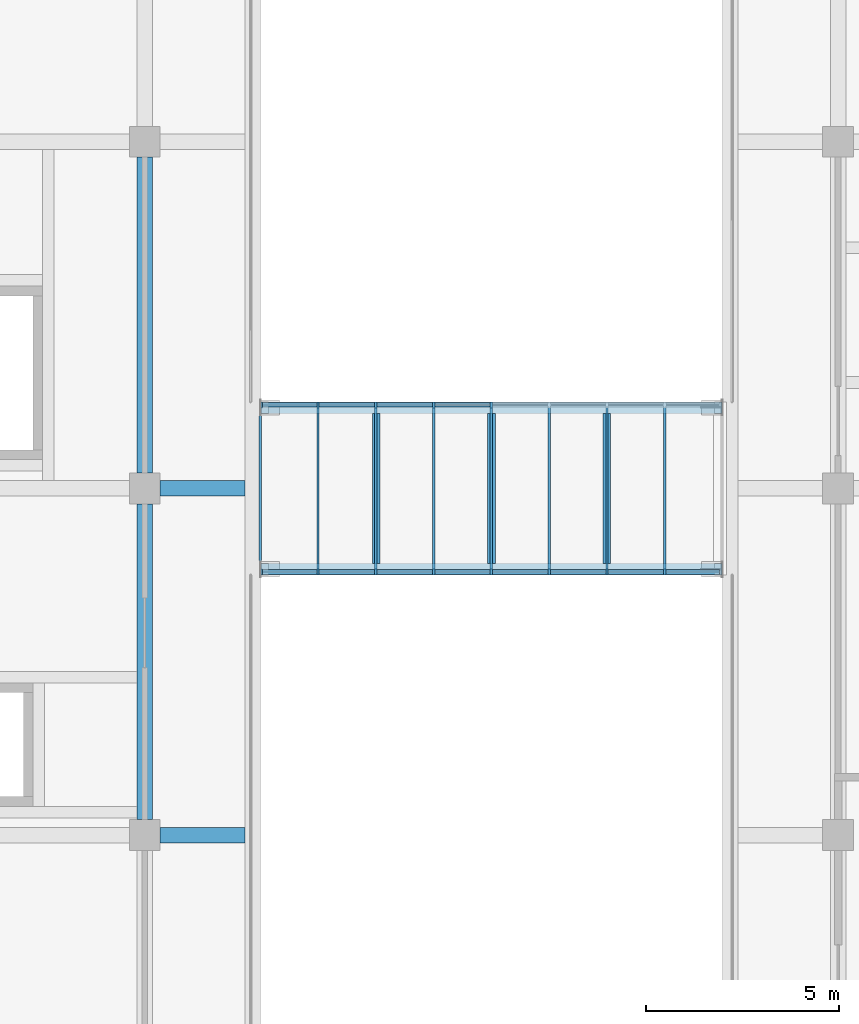
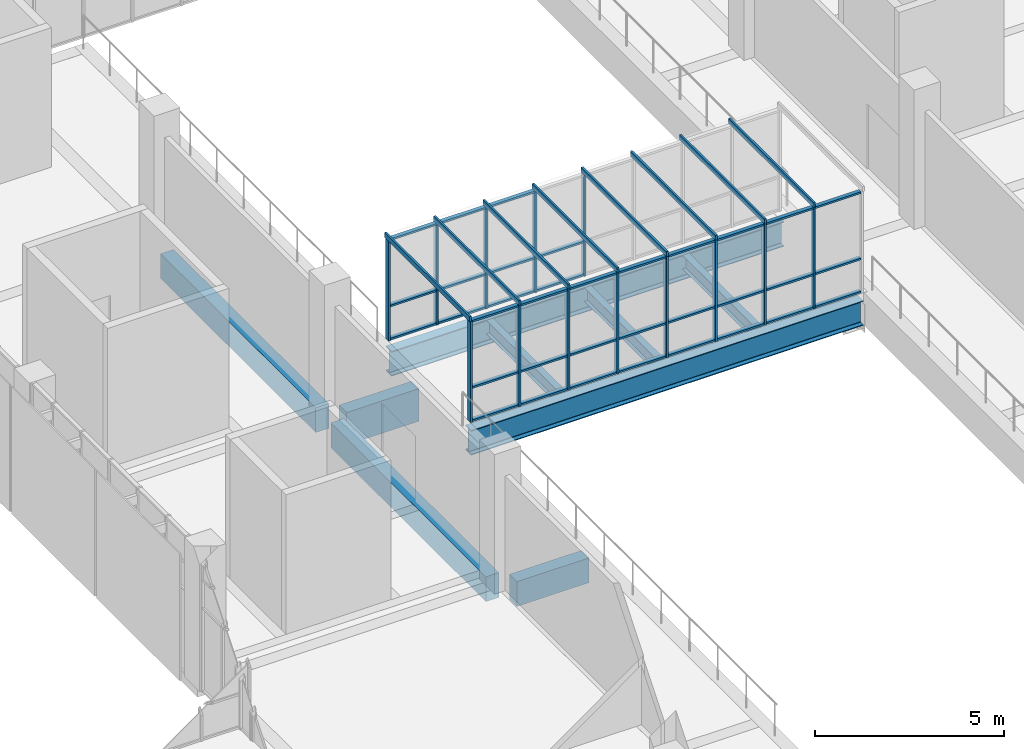
# One storey, part 20 of 88: 56 members, 9 beams, 3 elements without a shape of their own.
"""IFC4 building model written with IfcOpenShell, lengths in metres."""

from ifc_helpers import new_model, si_unit, direction, frame, origin, origin_2d, place, context, subcontext, project, spatial, rectangle, i_section, extrude, material, layer, layer_set, material_profile, profile_set, type_object, element, aggregate, save


model = new_model("IFC4")

# Units and contexts
model_context = context("Model", 3, precision=1e-05, world=origin(), true_north=direction((0.0, 1.0)))
body_context = subcontext(model_context, "Body", "Model", "MODEL_VIEW")
ifc_project = project(units=[si_unit("LENGTHUNIT", "METRE"), si_unit("AREAUNIT", "SQUARE_METRE"), si_unit("VOLUMEUNIT", "CUBIC_METRE"), si_unit("PLANEANGLEUNIT", "RADIAN"), si_unit("MASSUNIT", "GRAM", prefix="KILO")], contexts=[model_context])

# Site, building, storey
site_placement = place(None, origin())
site = spatial("IfcSite", under=ifc_project, at=site_placement, CompositionType="ELEMENT")
building_placement = place(site_placement, origin())
building = spatial("IfcBuilding", under=site, at=building_placement, Name="Guidao Yard Department Store", CompositionType="ELEMENT")
storey_placement = place(building_placement, frame((0.0, 0.0, 6.0)))
storey = spatial("IfcBuildingStorey", under=building, at=storey_placement, Name="L01", CompositionType="ELEMENT", Elevation=6.0)

# Beams
ifc_material_1 = material(Name="Concrete C40", Category="concrete")
ifc_material_profile_1 = material_profile(ifc_material_1, rectangle(XDim=0.39990234375, YDim=1.050048828125, at=origin_2d()), Name="Bridge landing beam 400 x 1050 C40")
ifc_profile_set_1 = profile_set([ifc_material_profile_1], Name="Concrete C40")
beam_type_1 = type_object("IfcBeamType", Name="Bridge landing beam 400 x 1050 C40", PredefinedType="BEAM", material=ifc_profile_set_1)
beam_1_placement = place(storey_placement, frame((81.39990234375, 90.0, -0.52490234375), z_axis=(1.0, 0.0, 0.0), x_axis=(0.0, 1.0, 0.0)))
element("IfcBeam", 1, at=beam_1_placement, inside=storey, type_object=beam_type_1, Name="Beam LB06", PredefinedType="BEAM", context=body_context, shape_type="SweptSolid", body=[
    extrude(rectangle(XDim=0.39990234375, YDim=1.050048828125, at=origin_2d()), origin(), (0.0, 0.0, 1.0), 2.2001953125),
])
ifc_material_2 = material(Name="Concrete C40", Category="concrete")
ifc_material_profile_2 = material_profile(ifc_material_2, rectangle(XDim=0.39990234375, YDim=0.800048828125, at=origin_2d()), Name="Edge beam 400 x 800 C40")
ifc_profile_set_2 = profile_set([ifc_material_profile_2], Name="Concrete C40")
beam_type_2 = type_object("IfcBeamType", Name="Edge beam 400 x 800 C40", PredefinedType="BEAM", material=ifc_profile_set_2)
for number, where, z_axis, x_axis, name in (
    (2, (81.0, 81.39990234375, -0.39990234375), (0.0, 1.0, 0.0), (-1.0, 0.0, 0.0), "Beam EB36"),
    (3, (81.0, 90.39990234375, -0.39990234375), (0.0, 1.0, 0.0), (-1.0, 0.0, 0.0), "Beam EB37"),
):
    element("IfcBeam", number, at=place(storey_placement, frame(where, z_axis=z_axis, x_axis=x_axis)), inside=storey, type_object=beam_type_2, Name=name, PredefinedType="BEAM", context=body_context, shape_type="SweptSolid", body=[
        extrude(rectangle(XDim=0.39990234375, YDim=0.800048828125, at=origin_2d()), origin(), (0.0, 0.0, 1.0), 8.2001953125),
    ])
beam_2_placement = place(storey_placement, frame((81.39990234375, 81.0, -0.39990234375), z_axis=(1.0, 0.0, 0.0), x_axis=(0.0, 1.0, 0.0)))
element("IfcBeam", 4, at=beam_2_placement, inside=storey, type_object=beam_type_2, Name="Beam EB42", PredefinedType="BEAM", context=body_context, shape_type="SweptSolid", body=[
    extrude(rectangle(XDim=0.39990234375, YDim=0.800048828125, at=origin_2d()), origin(), (0.0, 0.0, 1.0), 2.2001953125),
])
ifc_material_3 = material(Name="Steel Q355B", Category="steel")
ifc_material_profile_3 = material_profile(ifc_material_3, i_section(OverallWidth=0.199951171875, OverallDepth=0.449951171875, WebThickness=0.009033203125, FlangeThickness=0.013916015625, FilletRadius=0.012939453125, at=origin_2d()), Name="HN 450x200x9x14")
ifc_profile_set_3 = profile_set([ifc_material_profile_3], Name="Steel Q355B")
beam_type_3 = type_object("IfcBeamType", Name="HN 450x200x9x14", PredefinedType="BEAM", material=ifc_profile_set_3)
for number, where, z_axis, x_axis, name in (
    (5, (87.007568359375, 88.050048828125, -0.47509765625), (0.0, 1.0, 0.0), (-1.0, 0.0, 0.0), "Bridge cross beam BR10-1"),
    (6, (90.0, 88.050048828125, -0.47509765625), (0.0, 1.0, 0.0), (-1.0, 0.0, 0.0), "Bridge cross beam BR10-2"),
    (7, (92.992431640625, 88.050048828125, -0.47509765625), (0.0, 1.0, 0.0), (-1.0, 0.0, 0.0), "Bridge cross beam BR10-3"),
):
    element("IfcBeam", number, at=place(storey_placement, frame(where, z_axis=z_axis, x_axis=x_axis)), inside=storey, type_object=beam_type_3, Name=name, PredefinedType="BEAM", context=body_context, shape_type="SweptSolid", body=[
        extrude(i_section(OverallWidth=0.199951171875, OverallDepth=0.449951171875, WebThickness=0.009033203125, FlangeThickness=0.013916015625, FilletRadius=0.012939453125, at=origin_2d()), origin(), (0.0, 0.0, 1.0), 3.89990234375),
    ])
ifc_material_4 = material(Name="Steel Q355B", Category="steel")
ifc_material_profile_4 = material_profile(ifc_material_4, i_section(OverallWidth=0.300048828125, OverallDepth=0.800048828125, WebThickness=0.013916015625, FlangeThickness=0.02587890625, FilletRadius=0.01806640625, at=origin_2d()), Name="HN 800x300x14x26")
ifc_profile_set_4 = profile_set([ifc_material_profile_4], Name="Steel Q355B")
beam_type_4 = type_object("IfcBeamType", Name="HN 800x300x14x26", PredefinedType="BEAM", material=ifc_profile_set_4)
for number, where, z_axis, x_axis, name in (
    (8, (84.014892578125, 87.89990234375, -0.64990234375), (1.0, 0.0, 0.0), (0.0, 1.0, 0.0), "Bridge girder BR10S"),
    (9, (84.014892578125, 92.10009765625, -0.64990234375), (1.0, 0.0, 0.0), (0.0, 1.0, 0.0), "Bridge girder BR10N"),
):
    element("IfcBeam", number, at=place(storey_placement, frame(where, z_axis=z_axis, x_axis=x_axis)), inside=storey, type_object=beam_type_4, Name=name, PredefinedType="BEAM", context=body_context, shape_type="SweptSolid", body=[
        extrude(i_section(OverallWidth=0.300048828125, OverallDepth=0.800048828125, WebThickness=0.013916015625, FlangeThickness=0.02587890625, FilletRadius=0.01806640625, at=origin_2d()), origin(), (0.0, 0.0, 1.0), 11.97021484375),
    ])

# Curtain wall, members
ifc_material_5 = material(Name="Aluminium and glass", Category="aluminium")
ifc_layer = layer(ifc_material_5, 0.159912109375)
ifc_layer_set = layer_set([ifc_layer], Name="Bridge glazing CW5 1500 module")
curtain_wall_type = type_object("IfcCurtainWallType", Name="Bridge glazing CW5 1500 module", PredefinedType="NOTDEFINED", material=ifc_layer_set)
curtain_wall_1_placement = place(storey_placement, origin())
curtain_wall_1 = element("IfcCurtainWall", 10, at=curtain_wall_1_placement, inside=storey, type_object=curtain_wall_type, Name="Bridge glazing BR10 S", PredefinedType="NOTDEFINED")
ifc_material_6 = material(Name="Aluminium 6063-T5", Category="aluminium")
ifc_material_profile_5 = material_profile(ifc_material_6, rectangle(XDim=0.06005859375, YDim=0.159912109375, at=origin_2d()), Name="Mullion M1 60 x 160 aluminium pressure plate")
ifc_profile_set_5 = profile_set([ifc_material_profile_5], Name="Aluminium 6063-T5")
member_type_1 = type_object("IfcMemberType", Name="Mullion M1 60 x 160 aluminium pressure plate", PredefinedType="MULLION", material=ifc_profile_set_5)
member_1_placement = place(storey_placement, frame((84.030029296875, 87.830078125, 0.0), z_axis=(0.0, 0.0, 1.0), x_axis=(-1.0, 0.0, 0.0)))
member_1 = element("IfcMember", 11, at=member_1_placement, type_object=member_type_1, Name="CW-S-L01-11 mullion 1", PredefinedType="MULLION", context=body_context, shape_type="SweptSolid", body=[
    extrude(rectangle(XDim=0.06005859375, YDim=0.159912109375, at=origin_2d()), origin(), (0.0, 0.0, 1.0), 3.27001953125),
])
member_2_placement = place(storey_placement, frame((85.5, 87.830078125, 0.0), z_axis=(0.0, 0.0, 1.0), x_axis=(-1.0, 0.0, 0.0)))
member_2 = element("IfcMember", 12, at=member_2_placement, type_object=member_type_1, Name="CW-S-L01-11 mullion 2", PredefinedType="MULLION", context=body_context, shape_type="SweptSolid", body=[
    extrude(rectangle(XDim=0.06005859375, YDim=0.159912109375, at=origin_2d()), origin(), (0.0, 0.0, 1.0), 3.27001953125),
])
member_3_placement = place(storey_placement, frame((87.0, 87.830078125, 0.0), z_axis=(0.0, 0.0, 1.0), x_axis=(-1.0, 0.0, 0.0)))
member_3 = element("IfcMember", 13, at=member_3_placement, type_object=member_type_1, Name="CW-S-L01-11 mullion 3", PredefinedType="MULLION", context=body_context, shape_type="SweptSolid", body=[
    extrude(rectangle(XDim=0.06005859375, YDim=0.159912109375, at=origin_2d()), origin(), (0.0, 0.0, 1.0), 3.27001953125),
])
member_4_placement = place(storey_placement, frame((88.5, 87.830078125, 0.0), z_axis=(0.0, 0.0, 1.0), x_axis=(-1.0, 0.0, 0.0)))
member_4 = element("IfcMember", 14, at=member_4_placement, type_object=member_type_1, Name="CW-S-L01-11 mullion 4", PredefinedType="MULLION", context=body_context, shape_type="SweptSolid", body=[
    extrude(rectangle(XDim=0.06005859375, YDim=0.159912109375, at=origin_2d()), origin(), (0.0, 0.0, 1.0), 3.27001953125),
])
member_5_placement = place(storey_placement, frame((90.0, 87.830078125, 0.0), z_axis=(0.0, 0.0, 1.0), x_axis=(-1.0, 0.0, 0.0)))
member_5 = element("IfcMember", 15, at=member_5_placement, type_object=member_type_1, Name="CW-S-L01-11 mullion 5", PredefinedType="MULLION", context=body_context, shape_type="SweptSolid", body=[
    extrude(rectangle(XDim=0.06005859375, YDim=0.159912109375, at=origin_2d()), origin(), (0.0, 0.0, 1.0), 3.27001953125),
])
member_6_placement = place(storey_placement, frame((91.5, 87.830078125, 0.0), z_axis=(0.0, 0.0, 1.0), x_axis=(-1.0, 0.0, 0.0)))
member_6 = element("IfcMember", 16, at=member_6_placement, type_object=member_type_1, Name="CW-S-L01-11 mullion 6", PredefinedType="MULLION", context=body_context, shape_type="SweptSolid", body=[
    extrude(rectangle(XDim=0.06005859375, YDim=0.159912109375, at=origin_2d()), origin(), (0.0, 0.0, 1.0), 3.27001953125),
])
member_7_placement = place(storey_placement, frame((93.0, 87.830078125, 0.0), z_axis=(0.0, 0.0, 1.0), x_axis=(-1.0, 0.0, 0.0)))
member_7 = element("IfcMember", 17, at=member_7_placement, type_object=member_type_1, Name="CW-S-L01-11 mullion 7", PredefinedType="MULLION", context=body_context, shape_type="SweptSolid", body=[
    extrude(rectangle(XDim=0.06005859375, YDim=0.159912109375, at=origin_2d()), origin(), (0.0, 0.0, 1.0), 3.27001953125),
])
member_8_placement = place(storey_placement, frame((94.5, 87.830078125, 0.0), z_axis=(0.0, 0.0, 1.0), x_axis=(-1.0, 0.0, 0.0)))
member_8 = element("IfcMember", 18, at=member_8_placement, type_object=member_type_1, Name="CW-S-L01-11 mullion 8", PredefinedType="MULLION", context=body_context, shape_type="SweptSolid", body=[
    extrude(rectangle(XDim=0.06005859375, YDim=0.159912109375, at=origin_2d()), origin(), (0.0, 0.0, 1.0), 3.27001953125),
])

curtain_wall_2_placement = place(storey_placement, origin())
curtain_wall_2 = element("IfcCurtainWall", 19, at=curtain_wall_2_placement, inside=storey, type_object=curtain_wall_type, Name="Bridge glazing BR10 N", PredefinedType="NOTDEFINED")
member_9_placement = place(storey_placement, frame((84.030029296875, 92.169921875, 0.0), z_axis=(0.0, 0.0, 1.0), x_axis=(1.0, 0.0, 0.0)))
member_9 = element("IfcMember", 20, at=member_9_placement, type_object=member_type_1, Name="CW-N-L01-12 mullion 1", PredefinedType="MULLION", context=body_context, shape_type="SweptSolid", body=[
    extrude(rectangle(XDim=0.06005859375, YDim=0.159912109375, at=origin_2d()), origin(), (0.0, 0.0, 1.0), 3.27001953125),
])
member_10_placement = place(storey_placement, frame((85.5, 92.169921875, 0.0), z_axis=(0.0, 0.0, 1.0), x_axis=(1.0, 0.0, 0.0)))
member_10 = element("IfcMember", 21, at=member_10_placement, type_object=member_type_1, Name="CW-N-L01-12 mullion 2", PredefinedType="MULLION", context=body_context, shape_type="SweptSolid", body=[
    extrude(rectangle(XDim=0.06005859375, YDim=0.159912109375, at=origin_2d()), origin(), (0.0, 0.0, 1.0), 3.27001953125),
])
member_11_placement = place(storey_placement, frame((87.0, 92.169921875, 0.0), z_axis=(0.0, 0.0, 1.0), x_axis=(1.0, 0.0, 0.0)))
member_11 = element("IfcMember", 22, at=member_11_placement, type_object=member_type_1, Name="CW-N-L01-12 mullion 3", PredefinedType="MULLION", context=body_context, shape_type="SweptSolid", body=[
    extrude(rectangle(XDim=0.06005859375, YDim=0.159912109375, at=origin_2d()), origin(), (0.0, 0.0, 1.0), 3.27001953125),
])
member_12_placement = place(storey_placement, frame((88.5, 92.169921875, 0.0), z_axis=(0.0, 0.0, 1.0), x_axis=(1.0, 0.0, 0.0)))
member_12 = element("IfcMember", 23, at=member_12_placement, type_object=member_type_1, Name="CW-N-L01-12 mullion 4", PredefinedType="MULLION", context=body_context, shape_type="SweptSolid", body=[
    extrude(rectangle(XDim=0.06005859375, YDim=0.159912109375, at=origin_2d()), origin(), (0.0, 0.0, 1.0), 3.27001953125),
])
member_13_placement = place(storey_placement, frame((90.0, 92.169921875, 0.0), z_axis=(0.0, 0.0, 1.0), x_axis=(1.0, 0.0, 0.0)))
member_13 = element("IfcMember", 24, at=member_13_placement, type_object=member_type_1, Name="CW-N-L01-12 mullion 5", PredefinedType="MULLION", context=body_context, shape_type="SweptSolid", body=[
    extrude(rectangle(XDim=0.06005859375, YDim=0.159912109375, at=origin_2d()), origin(), (0.0, 0.0, 1.0), 3.27001953125),
])

curtain_wall_3_placement = place(storey_placement, origin())
curtain_wall_3 = element("IfcCurtainWall", 25, at=curtain_wall_3_placement, inside=storey, type_object=curtain_wall_type, Name="Bridge roof glazing BR10", PredefinedType="NOTDEFINED")
ifc_material_7 = material(Name="Aluminium 6063-T5", Category="aluminium")
ifc_material_profile_6 = material_profile(ifc_material_7, rectangle(XDim=0.06005859375, YDim=0.159912109375, at=origin_2d()), Name="Roof bar RB1 60 x 160 aluminium")
ifc_profile_set_6 = profile_set([ifc_material_profile_6], Name="Aluminium 6063-T5")
member_type_2 = type_object("IfcMemberType", Name="Roof bar RB1 60 x 160 aluminium", PredefinedType="USERDEFINED", material=ifc_profile_set_6)
member_14_placement = place(storey_placement, frame((84.0, 87.75, 3.35009765625), z_axis=(0.0, 1.0, 0.0), x_axis=(-1.0, 0.0, 0.0)))
member_14 = element("IfcMember", 26, at=member_14_placement, type_object=member_type_2, Name="Bridge roof bar BR10", ObjectType="TRANSOM", PredefinedType="USERDEFINED", context=body_context, shape_type="SweptSolid", body=[
    extrude(rectangle(XDim=0.06005859375, YDim=0.159912109375, at=origin_2d()), origin(), (0.0, 0.0, 1.0), 4.5),
])
member_15_placement = place(storey_placement, frame((85.5, 87.75, 3.35009765625), z_axis=(0.0, 1.0, 0.0), x_axis=(-1.0, 0.0, 0.0)))
member_15 = element("IfcMember", 27, at=member_15_placement, type_object=member_type_2, Name="Bridge roof bar BR10", ObjectType="TRANSOM", PredefinedType="USERDEFINED", context=body_context, shape_type="SweptSolid", body=[
    extrude(rectangle(XDim=0.06005859375, YDim=0.159912109375, at=origin_2d()), origin(), (0.0, 0.0, 1.0), 4.5),
])
member_16_placement = place(storey_placement, frame((87.0, 87.75, 3.35009765625), z_axis=(0.0, 1.0, 0.0), x_axis=(-1.0, 0.0, 0.0)))
member_16 = element("IfcMember", 28, at=member_16_placement, type_object=member_type_2, Name="Bridge roof bar BR10", ObjectType="TRANSOM", PredefinedType="USERDEFINED", context=body_context, shape_type="SweptSolid", body=[
    extrude(rectangle(XDim=0.06005859375, YDim=0.159912109375, at=origin_2d()), origin(), (0.0, 0.0, 1.0), 4.5),
])
member_17_placement = place(storey_placement, frame((88.5, 87.75, 3.35009765625), z_axis=(0.0, 1.0, 0.0), x_axis=(-1.0, 0.0, 0.0)))
member_17 = element("IfcMember", 29, at=member_17_placement, type_object=member_type_2, Name="Bridge roof bar BR10", ObjectType="TRANSOM", PredefinedType="USERDEFINED", context=body_context, shape_type="SweptSolid", body=[
    extrude(rectangle(XDim=0.06005859375, YDim=0.159912109375, at=origin_2d()), origin(), (0.0, 0.0, 1.0), 4.5),
])
member_18_placement = place(storey_placement, frame((90.0, 87.75, 3.35009765625), z_axis=(0.0, 1.0, 0.0), x_axis=(-1.0, 0.0, 0.0)))
member_18 = element("IfcMember", 30, at=member_18_placement, type_object=member_type_2, Name="Bridge roof bar BR10", ObjectType="TRANSOM", PredefinedType="USERDEFINED", context=body_context, shape_type="SweptSolid", body=[
    extrude(rectangle(XDim=0.06005859375, YDim=0.159912109375, at=origin_2d()), origin(), (0.0, 0.0, 1.0), 4.5),
])
member_19_placement = place(storey_placement, frame((91.5, 87.75, 3.35009765625), z_axis=(0.0, 1.0, 0.0), x_axis=(-1.0, 0.0, 0.0)))
member_19 = element("IfcMember", 31, at=member_19_placement, type_object=member_type_2, Name="Bridge roof bar BR10", ObjectType="TRANSOM", PredefinedType="USERDEFINED", context=body_context, shape_type="SweptSolid", body=[
    extrude(rectangle(XDim=0.06005859375, YDim=0.159912109375, at=origin_2d()), origin(), (0.0, 0.0, 1.0), 4.5),
])
member_20_placement = place(storey_placement, frame((93.0, 87.75, 3.35009765625), z_axis=(0.0, 1.0, 0.0), x_axis=(-1.0, 0.0, 0.0)))
member_20 = element("IfcMember", 32, at=member_20_placement, type_object=member_type_2, Name="Bridge roof bar BR10", ObjectType="TRANSOM", PredefinedType="USERDEFINED", context=body_context, shape_type="SweptSolid", body=[
    extrude(rectangle(XDim=0.06005859375, YDim=0.159912109375, at=origin_2d()), origin(), (0.0, 0.0, 1.0), 4.5),
])
member_21_placement = place(storey_placement, frame((94.5, 87.75, 3.35009765625), z_axis=(0.0, 1.0, 0.0), x_axis=(-1.0, 0.0, 0.0)))
member_21 = element("IfcMember", 33, at=member_21_placement, type_object=member_type_2, Name="Bridge roof bar BR10", ObjectType="TRANSOM", PredefinedType="USERDEFINED", context=body_context, shape_type="SweptSolid", body=[
    extrude(rectangle(XDim=0.06005859375, YDim=0.159912109375, at=origin_2d()), origin(), (0.0, 0.0, 1.0), 4.5),
])
aggregate(curtain_wall_3, [member_14, member_15, member_16, member_17, member_18, member_19, member_20, member_21])

# Member
ifc_material_8 = material(Name="Aluminium 6063-T5", Category="aluminium")
ifc_material_profile_7 = material_profile(ifc_material_8, rectangle(XDim=0.1201171875, YDim=0.06005859375, at=origin_2d()), Name="Transom T1 60 x 120 aluminium pressure plate")
ifc_profile_set_7 = profile_set([ifc_material_profile_7], Name="Aluminium 6063-T5")
member_type_3 = type_object("IfcMemberType", Name="Transom T1 60 x 120 aluminium pressure plate", PredefinedType="USERDEFINED", material=ifc_profile_set_7)
member_22_placement = place(storey_placement, frame((85.469970703125, 87.830078125, 0.030029296875), z_axis=(-1.0, 0.0, 0.0), x_axis=(0.0, -1.0, 0.0)))
member_22 = element("IfcMember", 34, at=member_22_placement, type_object=member_type_3, Name="CW-S-L01-11 transom 1.1", ObjectType="TRANSOM", PredefinedType="USERDEFINED", context=body_context, shape_type="SweptSolid", body=[
    extrude(rectangle(XDim=0.1201171875, YDim=0.06005859375, at=origin_2d()), origin(), (0.0, 0.0, 1.0), 1.409912109375),
])

member_23_placement = place(storey_placement, frame((85.469970703125, 87.830078125, 1.10009765625), z_axis=(-1.0, 0.0, 0.0), x_axis=(0.0, -1.0, 0.0)))
member_23 = element("IfcMember", 35, at=member_23_placement, type_object=member_type_3, Name="CW-S-L01-11 transom 1.2", ObjectType="TRANSOM", PredefinedType="USERDEFINED", context=body_context, shape_type="SweptSolid", body=[
    extrude(rectangle(XDim=0.1201171875, YDim=0.06005859375, at=origin_2d()), origin(), (0.0, 0.0, 1.0), 1.409912109375),
])

member_24_placement = place(storey_placement, frame((85.469970703125, 87.830078125, 3.239990234375), z_axis=(-1.0, 0.0, 0.0), x_axis=(0.0, -1.0, 0.0)))
member_24 = element("IfcMember", 36, at=member_24_placement, type_object=member_type_3, Name="CW-S-L01-11 transom 1.3", ObjectType="TRANSOM", PredefinedType="USERDEFINED", context=body_context, shape_type="SweptSolid", body=[
    extrude(rectangle(XDim=0.1201171875, YDim=0.06005859375, at=origin_2d()), origin(), (0.0, 0.0, 1.0), 1.409912109375),
])

member_25_placement = place(storey_placement, frame((86.969970703125, 87.830078125, 0.030029296875), z_axis=(-1.0, 0.0, 0.0), x_axis=(0.0, -1.0, 0.0)))
member_25 = element("IfcMember", 37, at=member_25_placement, type_object=member_type_3, Name="CW-S-L01-11 transom 2.1", ObjectType="TRANSOM", PredefinedType="USERDEFINED", context=body_context, shape_type="SweptSolid", body=[
    extrude(rectangle(XDim=0.1201171875, YDim=0.06005859375, at=origin_2d()), origin(), (0.0, 0.0, 1.0), 1.43994140625),
])

member_26_placement = place(storey_placement, frame((86.969970703125, 87.830078125, 1.10009765625), z_axis=(-1.0, 0.0, 0.0), x_axis=(0.0, -1.0, 0.0)))
member_26 = element("IfcMember", 38, at=member_26_placement, type_object=member_type_3, Name="CW-S-L01-11 transom 2.2", ObjectType="TRANSOM", PredefinedType="USERDEFINED", context=body_context, shape_type="SweptSolid", body=[
    extrude(rectangle(XDim=0.1201171875, YDim=0.06005859375, at=origin_2d()), origin(), (0.0, 0.0, 1.0), 1.43994140625),
])

member_27_placement = place(storey_placement, frame((86.969970703125, 87.830078125, 3.239990234375), z_axis=(-1.0, 0.0, 0.0), x_axis=(0.0, -1.0, 0.0)))
member_27 = element("IfcMember", 39, at=member_27_placement, type_object=member_type_3, Name="CW-S-L01-11 transom 2.3", ObjectType="TRANSOM", PredefinedType="USERDEFINED", context=body_context, shape_type="SweptSolid", body=[
    extrude(rectangle(XDim=0.1201171875, YDim=0.06005859375, at=origin_2d()), origin(), (0.0, 0.0, 1.0), 1.43994140625),
])

member_28_placement = place(storey_placement, frame((88.469970703125, 87.830078125, 0.030029296875), z_axis=(-1.0, 0.0, 0.0), x_axis=(0.0, -1.0, 0.0)))
member_28 = element("IfcMember", 40, at=member_28_placement, type_object=member_type_3, Name="CW-S-L01-11 transom 3.1", ObjectType="TRANSOM", PredefinedType="USERDEFINED", context=body_context, shape_type="SweptSolid", body=[
    extrude(rectangle(XDim=0.1201171875, YDim=0.06005859375, at=origin_2d()), origin(), (0.0, 0.0, 1.0), 1.43994140625),
])

member_29_placement = place(storey_placement, frame((88.469970703125, 87.830078125, 1.10009765625), z_axis=(-1.0, 0.0, 0.0), x_axis=(0.0, -1.0, 0.0)))
member_29 = element("IfcMember", 41, at=member_29_placement, type_object=member_type_3, Name="CW-S-L01-11 transom 3.2", ObjectType="TRANSOM", PredefinedType="USERDEFINED", context=body_context, shape_type="SweptSolid", body=[
    extrude(rectangle(XDim=0.1201171875, YDim=0.06005859375, at=origin_2d()), origin(), (0.0, 0.0, 1.0), 1.43994140625),
])

member_30_placement = place(storey_placement, frame((88.469970703125, 87.830078125, 3.239990234375), z_axis=(-1.0, 0.0, 0.0), x_axis=(0.0, -1.0, 0.0)))
member_30 = element("IfcMember", 42, at=member_30_placement, type_object=member_type_3, Name="CW-S-L01-11 transom 3.3", ObjectType="TRANSOM", PredefinedType="USERDEFINED", context=body_context, shape_type="SweptSolid", body=[
    extrude(rectangle(XDim=0.1201171875, YDim=0.06005859375, at=origin_2d()), origin(), (0.0, 0.0, 1.0), 1.43994140625),
])

member_31_placement = place(storey_placement, frame((89.969970703125, 87.830078125, 0.030029296875), z_axis=(-1.0, 0.0, 0.0), x_axis=(0.0, -1.0, 0.0)))
member_31 = element("IfcMember", 43, at=member_31_placement, type_object=member_type_3, Name="CW-S-L01-11 transom 4.1", ObjectType="TRANSOM", PredefinedType="USERDEFINED", context=body_context, shape_type="SweptSolid", body=[
    extrude(rectangle(XDim=0.1201171875, YDim=0.06005859375, at=origin_2d()), origin(), (0.0, 0.0, 1.0), 1.43994140625),
])

member_32_placement = place(storey_placement, frame((89.969970703125, 87.830078125, 1.10009765625), z_axis=(-1.0, 0.0, 0.0), x_axis=(0.0, -1.0, 0.0)))
member_32 = element("IfcMember", 44, at=member_32_placement, type_object=member_type_3, Name="CW-S-L01-11 transom 4.2", ObjectType="TRANSOM", PredefinedType="USERDEFINED", context=body_context, shape_type="SweptSolid", body=[
    extrude(rectangle(XDim=0.1201171875, YDim=0.06005859375, at=origin_2d()), origin(), (0.0, 0.0, 1.0), 1.43994140625),
])

member_33_placement = place(storey_placement, frame((89.969970703125, 87.830078125, 3.239990234375), z_axis=(-1.0, 0.0, 0.0), x_axis=(0.0, -1.0, 0.0)))
member_33 = element("IfcMember", 45, at=member_33_placement, type_object=member_type_3, Name="CW-S-L01-11 transom 4.3", ObjectType="TRANSOM", PredefinedType="USERDEFINED", context=body_context, shape_type="SweptSolid", body=[
    extrude(rectangle(XDim=0.1201171875, YDim=0.06005859375, at=origin_2d()), origin(), (0.0, 0.0, 1.0), 1.43994140625),
])

member_34_placement = place(storey_placement, frame((91.469970703125, 87.830078125, 0.030029296875), z_axis=(-1.0, 0.0, 0.0), x_axis=(0.0, -1.0, 0.0)))
member_34 = element("IfcMember", 46, at=member_34_placement, type_object=member_type_3, Name="CW-S-L01-11 transom 5.1", ObjectType="TRANSOM", PredefinedType="USERDEFINED", context=body_context, shape_type="SweptSolid", body=[
    extrude(rectangle(XDim=0.1201171875, YDim=0.06005859375, at=origin_2d()), origin(), (0.0, 0.0, 1.0), 1.43994140625),
])

member_35_placement = place(storey_placement, frame((91.469970703125, 87.830078125, 1.10009765625), z_axis=(-1.0, 0.0, 0.0), x_axis=(0.0, -1.0, 0.0)))
member_35 = element("IfcMember", 47, at=member_35_placement, type_object=member_type_3, Name="CW-S-L01-11 transom 5.2", ObjectType="TRANSOM", PredefinedType="USERDEFINED", context=body_context, shape_type="SweptSolid", body=[
    extrude(rectangle(XDim=0.1201171875, YDim=0.06005859375, at=origin_2d()), origin(), (0.0, 0.0, 1.0), 1.43994140625),
])

member_36_placement = place(storey_placement, frame((91.469970703125, 87.830078125, 3.239990234375), z_axis=(-1.0, 0.0, 0.0), x_axis=(0.0, -1.0, 0.0)))
member_36 = element("IfcMember", 48, at=member_36_placement, type_object=member_type_3, Name="CW-S-L01-11 transom 5.3", ObjectType="TRANSOM", PredefinedType="USERDEFINED", context=body_context, shape_type="SweptSolid", body=[
    extrude(rectangle(XDim=0.1201171875, YDim=0.06005859375, at=origin_2d()), origin(), (0.0, 0.0, 1.0), 1.43994140625),
])

member_37_placement = place(storey_placement, frame((92.969970703125, 87.830078125, 0.030029296875), z_axis=(-1.0, 0.0, 0.0), x_axis=(0.0, -1.0, 0.0)))
member_37 = element("IfcMember", 49, at=member_37_placement, type_object=member_type_3, Name="CW-S-L01-11 transom 6.1", ObjectType="TRANSOM", PredefinedType="USERDEFINED", context=body_context, shape_type="SweptSolid", body=[
    extrude(rectangle(XDim=0.1201171875, YDim=0.06005859375, at=origin_2d()), origin(), (0.0, 0.0, 1.0), 1.43994140625),
])

member_38_placement = place(storey_placement, frame((92.969970703125, 87.830078125, 1.10009765625), z_axis=(-1.0, 0.0, 0.0), x_axis=(0.0, -1.0, 0.0)))
member_38 = element("IfcMember", 50, at=member_38_placement, type_object=member_type_3, Name="CW-S-L01-11 transom 6.2", ObjectType="TRANSOM", PredefinedType="USERDEFINED", context=body_context, shape_type="SweptSolid", body=[
    extrude(rectangle(XDim=0.1201171875, YDim=0.06005859375, at=origin_2d()), origin(), (0.0, 0.0, 1.0), 1.43994140625),
])

member_39_placement = place(storey_placement, frame((92.969970703125, 87.830078125, 3.239990234375), z_axis=(-1.0, 0.0, 0.0), x_axis=(0.0, -1.0, 0.0)))
member_39 = element("IfcMember", 51, at=member_39_placement, type_object=member_type_3, Name="CW-S-L01-11 transom 6.3", ObjectType="TRANSOM", PredefinedType="USERDEFINED", context=body_context, shape_type="SweptSolid", body=[
    extrude(rectangle(XDim=0.1201171875, YDim=0.06005859375, at=origin_2d()), origin(), (0.0, 0.0, 1.0), 1.43994140625),
])

member_40_placement = place(storey_placement, frame((94.469970703125, 87.830078125, 0.030029296875), z_axis=(-1.0, 0.0, 0.0), x_axis=(0.0, -1.0, 0.0)))
member_40 = element("IfcMember", 52, at=member_40_placement, type_object=member_type_3, Name="CW-S-L01-11 transom 7.1", ObjectType="TRANSOM", PredefinedType="USERDEFINED", context=body_context, shape_type="SweptSolid", body=[
    extrude(rectangle(XDim=0.1201171875, YDim=0.06005859375, at=origin_2d()), origin(), (0.0, 0.0, 1.0), 1.43994140625),
])

member_41_placement = place(storey_placement, frame((94.469970703125, 87.830078125, 1.10009765625), z_axis=(-1.0, 0.0, 0.0), x_axis=(0.0, -1.0, 0.0)))
member_41 = element("IfcMember", 53, at=member_41_placement, type_object=member_type_3, Name="CW-S-L01-11 transom 7.2", ObjectType="TRANSOM", PredefinedType="USERDEFINED", context=body_context, shape_type="SweptSolid", body=[
    extrude(rectangle(XDim=0.1201171875, YDim=0.06005859375, at=origin_2d()), origin(), (0.0, 0.0, 1.0), 1.43994140625),
])

member_42_placement = place(storey_placement, frame((94.469970703125, 87.830078125, 3.239990234375), z_axis=(-1.0, 0.0, 0.0), x_axis=(0.0, -1.0, 0.0)))
member_42 = element("IfcMember", 54, at=member_42_placement, type_object=member_type_3, Name="CW-S-L01-11 transom 7.3", ObjectType="TRANSOM", PredefinedType="USERDEFINED", context=body_context, shape_type="SweptSolid", body=[
    extrude(rectangle(XDim=0.1201171875, YDim=0.06005859375, at=origin_2d()), origin(), (0.0, 0.0, 1.0), 1.43994140625),
])

member_43_placement = place(storey_placement, frame((95.925048828125, 87.830078125, 0.030029296875), z_axis=(-1.0, 0.0, 0.0), x_axis=(0.0, -1.0, 0.0)))
member_43 = element("IfcMember", 55, at=member_43_placement, type_object=member_type_3, Name="CW-S-L01-11 transom 8.1", ObjectType="TRANSOM", PredefinedType="USERDEFINED", context=body_context, shape_type="SweptSolid", body=[
    extrude(rectangle(XDim=0.1201171875, YDim=0.06005859375, at=origin_2d()), origin(), (0.0, 0.0, 1.0), 1.39501953125),
])

member_44_placement = place(storey_placement, frame((95.925048828125, 87.830078125, 1.10009765625), z_axis=(-1.0, 0.0, 0.0), x_axis=(0.0, -1.0, 0.0)))
member_44 = element("IfcMember", 56, at=member_44_placement, type_object=member_type_3, Name="CW-S-L01-11 transom 8.2", ObjectType="TRANSOM", PredefinedType="USERDEFINED", context=body_context, shape_type="SweptSolid", body=[
    extrude(rectangle(XDim=0.1201171875, YDim=0.06005859375, at=origin_2d()), origin(), (0.0, 0.0, 1.0), 1.39501953125),
])

member_45_placement = place(storey_placement, frame((95.925048828125, 87.830078125, 3.239990234375), z_axis=(-1.0, 0.0, 0.0), x_axis=(0.0, -1.0, 0.0)))
member_45 = element("IfcMember", 57, at=member_45_placement, type_object=member_type_3, Name="CW-S-L01-11 transom 8.3", ObjectType="TRANSOM", PredefinedType="USERDEFINED", context=body_context, shape_type="SweptSolid", body=[
    extrude(rectangle(XDim=0.1201171875, YDim=0.06005859375, at=origin_2d()), origin(), (0.0, 0.0, 1.0), 1.39501953125),
])

aggregate(curtain_wall_1, [member_1, member_2, member_3, member_4, member_5, member_6, member_7, member_8, member_22, member_23, member_24, member_25, member_26, member_27, member_28, member_29, member_30, member_31, member_32, member_33, member_34, member_35, member_36, member_37, member_38, member_39, member_40, member_41, member_42, member_43, member_44, member_45])

member_46_placement = place(storey_placement, frame((84.06005859375, 92.169921875, 0.030029296875), z_axis=(1.0, 0.0, 0.0), x_axis=(0.0, 1.0, 0.0)))
member_46 = element("IfcMember", 58, at=member_46_placement, type_object=member_type_3, Name="CW-N-L01-12 transom 1.1", ObjectType="TRANSOM", PredefinedType="USERDEFINED", context=body_context, shape_type="SweptSolid", body=[
    extrude(rectangle(XDim=0.1201171875, YDim=0.06005859375, at=origin_2d()), origin(), (0.0, 0.0, 1.0), 1.409912109375),
])

member_47_placement = place(storey_placement, frame((84.06005859375, 92.169921875, 1.10009765625), z_axis=(1.0, 0.0, 0.0), x_axis=(0.0, 1.0, 0.0)))
member_47 = element("IfcMember", 59, at=member_47_placement, type_object=member_type_3, Name="CW-N-L01-12 transom 1.2", ObjectType="TRANSOM", PredefinedType="USERDEFINED", context=body_context, shape_type="SweptSolid", body=[
    extrude(rectangle(XDim=0.1201171875, YDim=0.06005859375, at=origin_2d()), origin(), (0.0, 0.0, 1.0), 1.409912109375),
])

member_48_placement = place(storey_placement, frame((84.06005859375, 92.169921875, 3.239990234375), z_axis=(1.0, 0.0, 0.0), x_axis=(0.0, 1.0, 0.0)))
member_48 = element("IfcMember", 60, at=member_48_placement, type_object=member_type_3, Name="CW-N-L01-12 transom 1.3", ObjectType="TRANSOM", PredefinedType="USERDEFINED", context=body_context, shape_type="SweptSolid", body=[
    extrude(rectangle(XDim=0.1201171875, YDim=0.06005859375, at=origin_2d()), origin(), (0.0, 0.0, 1.0), 1.409912109375),
])

member_49_placement = place(storey_placement, frame((85.530029296875, 92.169921875, 0.030029296875), z_axis=(1.0, 0.0, 0.0), x_axis=(0.0, 1.0, 0.0)))
member_49 = element("IfcMember", 61, at=member_49_placement, type_object=member_type_3, Name="CW-N-L01-12 transom 2.1", ObjectType="TRANSOM", PredefinedType="USERDEFINED", context=body_context, shape_type="SweptSolid", body=[
    extrude(rectangle(XDim=0.1201171875, YDim=0.06005859375, at=origin_2d()), origin(), (0.0, 0.0, 1.0), 1.43994140625),
])

member_50_placement = place(storey_placement, frame((85.530029296875, 92.169921875, 1.10009765625), z_axis=(1.0, 0.0, 0.0), x_axis=(0.0, 1.0, 0.0)))
member_50 = element("IfcMember", 62, at=member_50_placement, type_object=member_type_3, Name="CW-N-L01-12 transom 2.2", ObjectType="TRANSOM", PredefinedType="USERDEFINED", context=body_context, shape_type="SweptSolid", body=[
    extrude(rectangle(XDim=0.1201171875, YDim=0.06005859375, at=origin_2d()), origin(), (0.0, 0.0, 1.0), 1.43994140625),
])

member_51_placement = place(storey_placement, frame((85.530029296875, 92.169921875, 3.239990234375), z_axis=(1.0, 0.0, 0.0), x_axis=(0.0, 1.0, 0.0)))
member_51 = element("IfcMember", 63, at=member_51_placement, type_object=member_type_3, Name="CW-N-L01-12 transom 2.3", ObjectType="TRANSOM", PredefinedType="USERDEFINED", context=body_context, shape_type="SweptSolid", body=[
    extrude(rectangle(XDim=0.1201171875, YDim=0.06005859375, at=origin_2d()), origin(), (0.0, 0.0, 1.0), 1.43994140625),
])

member_52_placement = place(storey_placement, frame((87.030029296875, 92.169921875, 0.030029296875), z_axis=(1.0, 0.0, 0.0), x_axis=(0.0, 1.0, 0.0)))
member_52 = element("IfcMember", 64, at=member_52_placement, type_object=member_type_3, Name="CW-N-L01-12 transom 3.1", ObjectType="TRANSOM", PredefinedType="USERDEFINED", context=body_context, shape_type="SweptSolid", body=[
    extrude(rectangle(XDim=0.1201171875, YDim=0.06005859375, at=origin_2d()), origin(), (0.0, 0.0, 1.0), 1.43994140625),
])

member_53_placement = place(storey_placement, frame((87.030029296875, 92.169921875, 1.10009765625), z_axis=(1.0, 0.0, 0.0), x_axis=(0.0, 1.0, 0.0)))
member_53 = element("IfcMember", 65, at=member_53_placement, type_object=member_type_3, Name="CW-N-L01-12 transom 3.2", ObjectType="TRANSOM", PredefinedType="USERDEFINED", context=body_context, shape_type="SweptSolid", body=[
    extrude(rectangle(XDim=0.1201171875, YDim=0.06005859375, at=origin_2d()), origin(), (0.0, 0.0, 1.0), 1.43994140625),
])

member_54_placement = place(storey_placement, frame((87.030029296875, 92.169921875, 3.239990234375), z_axis=(1.0, 0.0, 0.0), x_axis=(0.0, 1.0, 0.0)))
member_54 = element("IfcMember", 66, at=member_54_placement, type_object=member_type_3, Name="CW-N-L01-12 transom 3.3", ObjectType="TRANSOM", PredefinedType="USERDEFINED", context=body_context, shape_type="SweptSolid", body=[
    extrude(rectangle(XDim=0.1201171875, YDim=0.06005859375, at=origin_2d()), origin(), (0.0, 0.0, 1.0), 1.43994140625),
])

member_55_placement = place(storey_placement, frame((88.530029296875, 92.169921875, 0.030029296875), z_axis=(1.0, 0.0, 0.0), x_axis=(0.0, 1.0, 0.0)))
member_55 = element("IfcMember", 67, at=member_55_placement, type_object=member_type_3, Name="CW-N-L01-12 transom 4.1", ObjectType="TRANSOM", PredefinedType="USERDEFINED", context=body_context, shape_type="SweptSolid", body=[
    extrude(rectangle(XDim=0.1201171875, YDim=0.06005859375, at=origin_2d()), origin(), (0.0, 0.0, 1.0), 1.43994140625),
])

member_56_placement = place(storey_placement, frame((88.530029296875, 92.169921875, 1.10009765625), z_axis=(1.0, 0.0, 0.0), x_axis=(0.0, 1.0, 0.0)))
member_56 = element("IfcMember", 68, at=member_56_placement, type_object=member_type_3, Name="CW-N-L01-12 transom 4.2", ObjectType="TRANSOM", PredefinedType="USERDEFINED", context=body_context, shape_type="SweptSolid", body=[
    extrude(rectangle(XDim=0.1201171875, YDim=0.06005859375, at=origin_2d()), origin(), (0.0, 0.0, 1.0), 1.43994140625),
])

aggregate(curtain_wall_2, [member_9, member_10, member_11, member_12, member_13, member_46, member_47, member_48, member_49, member_50, member_51, member_52, member_53, member_54, member_55, member_56])

save(model, "model.ifc")
